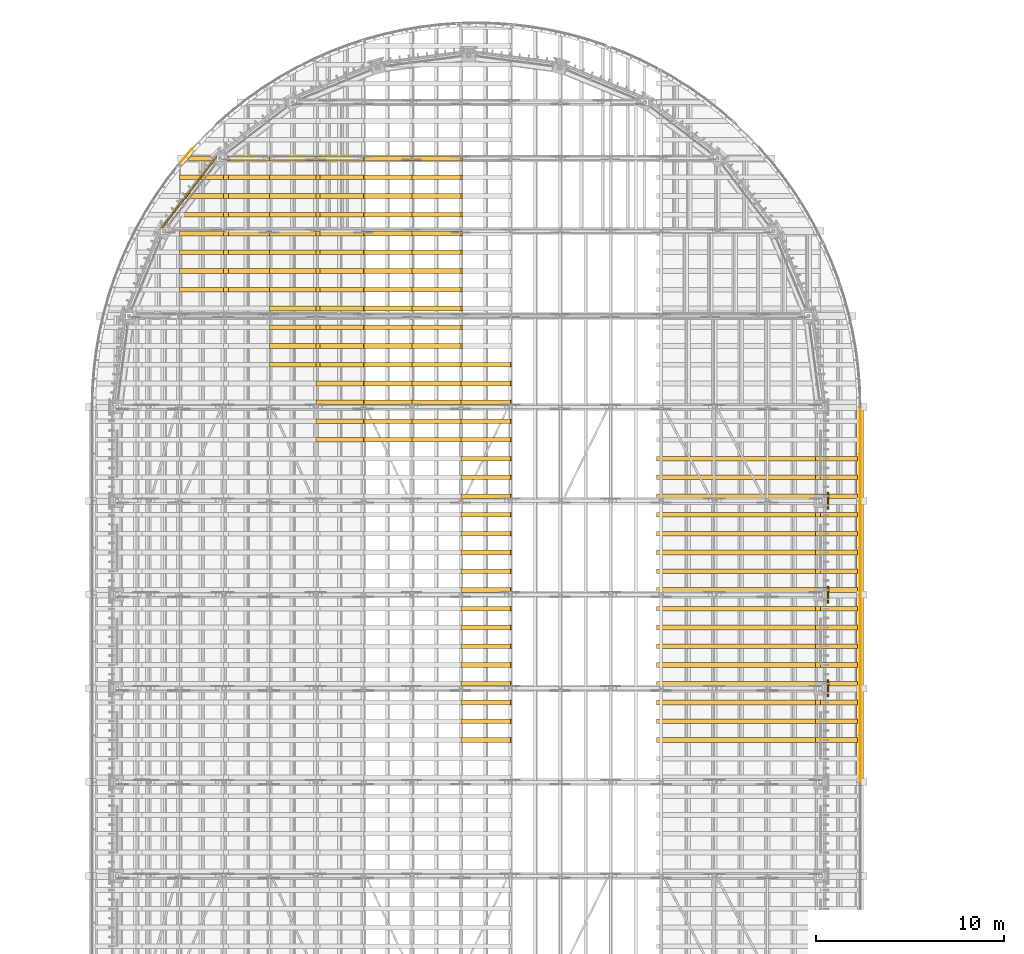
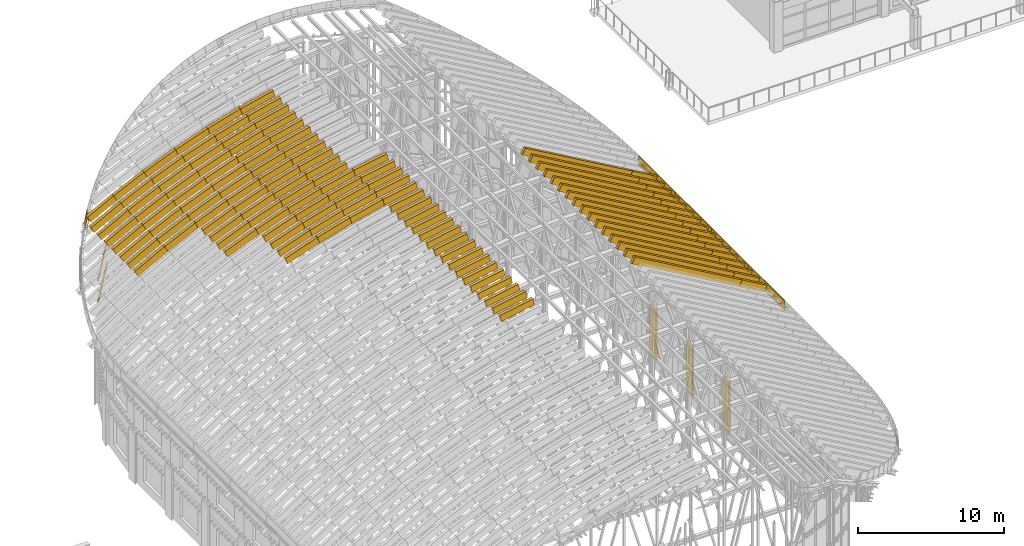
# One storey, part 90 of 105: 148 coverings.
"""IFC4 building model written with IfcOpenShell, lengths in metres."""

from ifc_helpers import new_model, si_unit, direction, frame, origin, origin_2d, place, context, subcontext, project, spatial, polyline, rectangle, outline, extrude, material, layer, layer_set, material_profile, profile_set, type_object, element, save


model = new_model("IFC4")

# Units and contexts
model_context = context("Model", 3, precision=1e-05, world=origin(), true_north=direction((0.0, 1.0)))
body_context = subcontext(model_context, "Body", "Model", "MODEL_VIEW")
ifc_project = project(units=[si_unit("LENGTHUNIT", "METRE"), si_unit("AREAUNIT", "SQUARE_METRE"), si_unit("VOLUMEUNIT", "CUBIC_METRE"), si_unit("PLANEANGLEUNIT", "RADIAN"), si_unit("MASSUNIT", "GRAM", prefix="KILO")], contexts=[model_context])

# Site, building, storey
site_placement = place(None, origin())
site = spatial("IfcSite", under=ifc_project, at=site_placement, CompositionType="ELEMENT")
building_placement = place(site_placement, origin())
building = spatial("IfcBuilding", under=site, at=building_placement, Name="Wasatch Bagh Community Centre", CompositionType="ELEMENT")
storey_placement = place(building_placement, frame((0.0, 0.0, 16.800048828125)))
storey = spatial("IfcBuildingStorey", under=building, at=storey_placement, Name="L04", CompositionType="ELEMENT", Elevation=16.800048828125)

# Coverings
ifc_material_1 = material(Name="White precast concrete C40/50", Category="concrete")
ifc_layer = layer(ifc_material_1, 0.10009765625)
ifc_layer_set = layer_set([ifc_layer], Name="White precast concrete C40/50")
covering_type_1 = type_object("IfcCoveringType", Name="MH column casing", PredefinedType="CLADDING", material=ifc_layer_set)
for number, where, z_axis, x_axis, name in (
    (1, (55.14990234375, 50.0, 0.0), (0.0, 0.0, 1.0), (0.0, 1.0, 0.0), "Column casing E4 L04"),
    (2, (55.14990234375, 55.0, 0.0), (0.0, 0.0, 1.0), (0.0, 1.0, 0.0), "Column casing E5 L04"),
    (3, (55.14990234375, 60.0, 0.0), (0.0, 0.0, 1.0), (0.0, 1.0, 0.0), "Column casing E6 L04"),
):
    element("IfcCovering", number, at=place(storey_placement, frame(where, z_axis=z_axis, x_axis=x_axis)), inside=storey, type_object=covering_type_1, Name=name, PredefinedType="CLADDING", context=body_context, shape_type="SweptSolid", body=[
        extrude(rectangle(XDim=0.89990234375, YDim=0.10009765625, at=origin_2d()), origin(), (0.0, 0.0, 1.0), 4.199951171875),
    ])
ifc_material_2 = material(Name="ASTM A653 Grade 50 steel, zinc-aluminium coated", Category="steel")
ifc_material_profile_1 = material_profile(ifc_material_2, outline(polyline([(-0.080078125, 0.0029296875), (0.152099609375, 0.0029296875), (0.152099609375, -0.031982421875), (0.14892578125, -0.031982421875), (0.14892578125, 0.0), (-0.080078125, 0.0), (-0.080078125, 0.0029296875)])), Name="DRIP EDGE")
ifc_profile_set_1 = profile_set([ifc_material_profile_1], Name="ASTM A653 Grade 50 steel, zinc-aluminium coated")
covering_type_2 = type_object("IfcCoveringType", Name="MH drip edge", PredefinedType="CLADDING", material=ifc_profile_set_1)
covering_1_placement = place(storey_placement, frame((20.671630859375, 77.912841796875, 11.981201171875), z_axis=(0.616783616092, 0.714929425289, 0.329323378728), x_axis=(-0.630602149034, 0.699196616809, -0.336845692678)))
element("IfcCovering", 4, at=covering_1_placement, inside=storey, type_object=covering_type_2, Name="Drip edge 100", PredefinedType="CLADDING", context=body_context, shape_type="SweptSolid", body=[
    extrude(outline(polyline([(-0.080078125, 0.0029296875), (0.152099609375, 0.0029296875), (0.152099609375, -0.031982421875), (0.14892578125, -0.031982421875), (0.14892578125, 0.0), (-0.080078125, 0.0), (-0.080078125, 0.0029296875)])), origin(), (0.0, 0.0, 1.0), 1.0498046875),
])
for number, where, z_axis, x_axis, name in (
    (5, (56.75, 64.99609375, 12.657470703125), (0.0, -1.0, 0.0), (0.866025403784, 0.0, -0.5), "Drip edge 161"),
    (6, (56.75, 59.99609375, 12.657470703125), (0.0, -1.0, 0.0), (0.866025403784, 0.0, -0.5), "Drip edge 162"),
    (7, (56.75, 54.99609375, 12.657470703125), (0.0, -1.0, 0.0), (0.866025403784, 0.0, -0.5), "Drip edge 163"),
    (8, (56.75, 49.99609375, 12.657470703125), (0.0, -1.0, 0.0), (0.866025403784, 0.0, -0.5), "Drip edge 164"),
):
    element("IfcCovering", number, at=place(storey_placement, frame(where, z_axis=z_axis, x_axis=x_axis)), inside=storey, type_object=covering_type_2, Name=name, PredefinedType="CLADDING", context=body_context, shape_type="SweptSolid", body=[
        extrude(outline(polyline([(-0.080078125, 0.0029296875), (0.152099609375, 0.0029296875), (0.152099609375, -0.031982421875), (0.14892578125, -0.031982421875), (0.14892578125, 0.0), (-0.080078125, 0.0), (-0.080078125, 0.0029296875)])), origin(), (0.0, 0.0, 1.0), 4.9921875),
    ])
ifc_material_profile_2 = material_profile(ifc_material_2, rectangle(XDim=0.0400390625, YDim=0.85009765625, at=origin_2d()), Name="FASCIA 40x850")
ifc_profile_set_2 = profile_set([ifc_material_profile_2], Name="ASTM A653 Grade 50 steel, zinc-aluminium coated")
covering_type_3 = type_object("IfcCoveringType", Name="MH eave fascia 40x850", PredefinedType="CLADDING", material=ifc_profile_set_2)
covering_2_placement = place(storey_placement, frame((20.580810546875, 77.9912109375, 12.1298828125), z_axis=(0.616736364318, 0.714874654568, 0.329530704464), x_axis=(-0.757166284111, 0.653222181348, 0.0)))
element("IfcCovering", 9, at=covering_2_placement, inside=storey, type_object=covering_type_3, Name="Eave fascia 100", PredefinedType="CLADDING", context=body_context, shape_type="SweptSolid", body=[
    extrude(rectangle(XDim=0.0400390625, YDim=0.85009765625, at=origin_2d()), origin(), (0.0, 0.0, 1.0), 1.0498046875),
])
for number, where, z_axis, x_axis, name in (
    (10, (56.8701171875, 64.99609375, 12.782470703125), (0.0, -1.0, 0.0), (1.0, 0.0, 0.0), "Eave fascia 161"),
    (11, (56.8701171875, 59.99609375, 12.782470703125), (0.0, -1.0, 0.0), (1.0, 0.0, 0.0), "Eave fascia 162"),
    (12, (56.8701171875, 54.99609375, 12.782470703125), (0.0, -1.0, 0.0), (1.0, 0.0, 0.0), "Eave fascia 163"),
    (13, (56.8701171875, 49.99609375, 12.782470703125), (0.0, -1.0, 0.0), (1.0, 0.0, 0.0), "Eave fascia 164"),
):
    element("IfcCovering", number, at=place(storey_placement, frame(where, z_axis=z_axis, x_axis=x_axis)), inside=storey, type_object=covering_type_3, Name=name, PredefinedType="CLADDING", context=body_context, shape_type="SweptSolid", body=[
        extrude(rectangle(XDim=0.0400390625, YDim=0.85009765625, at=origin_2d()), origin(), (0.0, 0.0, 1.0), 4.9921875),
    ])
ifc_material_3 = material(Name="Aluminium sheet, powder coated", Category="aluminium")
ifc_material_profile_3 = material_profile(ifc_material_3, outline(polyline([(-0.074951171875, 0.0), (-0.074951171875, -0.1201171875), (0.074951171875, -0.1201171875), (0.074951171875, 0.0), (0.072021484375, 0.0), (0.072021484375, -0.116943359375), (-0.072021484375, -0.116943359375), (-0.072021484375, 0.0), (-0.074951171875, 0.0)])), Name="GUTTER 150x120")
ifc_profile_set_3 = profile_set([ifc_material_profile_3], Name="Aluminium sheet, powder coated")
covering_type_4 = type_object("IfcCoveringType", Name="MH eave gutter 150x120", PredefinedType="CLADDING", material=ifc_profile_set_3)
for number, where, z_axis, x_axis, name in (
    (14, (56.965087890625, 64.99609375, 12.5673828125), (0.0, -1.0, 0.0), (1.0, 0.0, 0.0), "Eave gutter 7"),
    (15, (56.965087890625, 59.99609375, 12.5673828125), (0.0, -1.0, 0.0), (1.0, 0.0, 0.0), "Eave gutter 8"),
    (16, (56.965087890625, 54.99609375, 12.5673828125), (0.0, -1.0, 0.0), (1.0, 0.0, 0.0), "Eave gutter 9"),
    (17, (56.965087890625, 49.99609375, 12.5673828125), (0.0, -1.0, 0.0), (1.0, 0.0, 0.0), "Eave gutter 10"),
):
    element("IfcCovering", number, at=place(storey_placement, frame(where, z_axis=z_axis, x_axis=x_axis)), inside=storey, type_object=covering_type_4, Name=name, PredefinedType="CLADDING", context=body_context, shape_type="SweptSolid", body=[
        extrude(outline(polyline([(-0.074951171875, 0.0), (-0.074951171875, -0.1201171875), (0.074951171875, -0.1201171875), (0.074951171875, 0.0), (0.072021484375, 0.0), (0.072021484375, -0.116943359375), (-0.072021484375, -0.116943359375), (-0.072021484375, 0.0), (-0.074951171875, 0.0)])), origin(), (0.0, 0.0, 1.0), 4.9921875),
    ])
ifc_material_4 = material(Name="Aluminium extrusion", Category="aluminium")
ifc_material_profile_4 = material_profile(ifc_material_4, rectangle(XDim=0.080078125, YDim=0.080078125, at=origin_2d()), Name="AL 80x80")
ifc_profile_set_4 = profile_set([ifc_material_profile_4], Name="Aluminium extrusion")
covering_type_5 = type_object("IfcCoveringType", Name="MH fin rail 80x80", PredefinedType="CLADDING", material=ifc_profile_set_4)
for number, where, z_axis, x_axis, name in (
    (18, (22.5830078125, 78.3798828125, 8.199951171875), (-0.60878228298, -0.793337338041, 0.0), (0.793337338041, -0.60878228298, 0.0), "Fin rail 28.1"),
    (19, (22.5830078125, 78.3798828125, 10.030029296875), (-0.60878228298, -0.793337338041, 0.0), (0.793337338041, -0.60878228298, 0.0), "Fin rail 28.2"),
):
    element("IfcCovering", number, at=place(storey_placement, frame(where, z_axis=z_axis, x_axis=x_axis)), inside=storey, type_object=covering_type_5, Name=name, PredefinedType="CLADDING", context=body_context, shape_type="SweptSolid", body=[
        extrude(rectangle(XDim=0.080078125, YDim=0.080078125, at=origin_2d()), origin(), (0.0, 0.0, 1.0), 4.89453125),
    ])
covering_type_6 = type_object("IfcCoveringType", Name="MH roll-over fin rib", PredefinedType="ROOFING", material=ifc_material_2)
for number, where, z_axis, x_axis, name in (
    (20, (20.582763671875, 71.125, 12.483642578125), (-0.471139156817, 0.0, 0.882058895377), (0.882058895377, 0.0, 0.471139156817), "Seam rib 3.52"),
    (21, (20.582763671875, 72.125, 12.483642578125), (-0.471139156817, 0.0, 0.882058895377), (0.882058895377, 0.0, 0.471139156817), "Seam rib 3.53"),
    (22, (20.582763671875, 73.125, 12.483642578125), (-0.471139156817, 0.0, 0.882058895377), (0.882058895377, 0.0, 0.471139156817), "Seam rib 3.54"),
    (23, (20.582763671875, 74.125, 12.483642578125), (-0.471139156817, 0.0, 0.882058895377), (0.882058895377, 0.0, 0.471139156817), "Seam rib 3.55"),
    (24, (20.582763671875, 75.125, 12.483642578125), (-0.471139156817, 0.0, 0.882058895377), (0.882058895377, 0.0, 0.471139156817), "Seam rib 3.56"),
    (25, (20.582763671875, 76.125, 12.483642578125), (-0.471139156817, 0.0, 0.882058895377), (0.882058895377, 0.0, 0.471139156817), "Seam rib 3.57"),
    (26, (20.582763671875, 77.125, 12.483642578125), (-0.471139156817, 0.0, 0.882058895377), (0.882058895377, 0.0, 0.471139156817), "Seam rib 3.58"),
):
    element("IfcCovering", number, at=place(storey_placement, frame(where, z_axis=z_axis, x_axis=x_axis)), inside=storey, type_object=covering_type_6, Name=name, PredefinedType="ROOFING", context=body_context, shape_type="SweptSolid", body=[
        extrude(outline(polyline([(0.0, 0.0), (2.6676533234711526, 0.0), (2.6676533234711526, 0.25000000000000006), (0.0, 0.25000000000000006), (0.0, 0.0)])), origin(), (0.0, 0.0, -1.0), 0.550048828125),
    ])
covering_3_placement = place(storey_placement, frame((20.894287109375, 78.125, 12.650146484375), z_axis=(-0.471102812675, 0.0, 0.882078307119), x_axis=(0.882078307119, 0.0, 0.471102812675)))
element("IfcCovering", 27, at=covering_3_placement, inside=storey, type_object=covering_type_6, Name="Seam rib 3.59", PredefinedType="ROOFING", context=body_context, shape_type="SweptSolid", body=[
    extrude(outline(polyline([(0.0, 0.0), (2.3144247962730953, 0.0), (2.3144247962730953, 0.25), (0.0, 0.25), (0.0, 0.0)])), origin(), (0.0, 0.0, -1.0), 0.550048828125),
])
for number, where, z_axis, x_axis, name in (
    (28, (22.951171875, 71.125, 13.735107421875), (-0.425003555099, 0.0, 0.905191680338), (0.905191680338, 0.0, 0.425003555099), "Seam rib 4.54"),
    (29, (22.951171875, 72.125, 13.735107421875), (-0.425003555099, 0.0, 0.905191680338), (0.905191680338, 0.0, 0.425003555099), "Seam rib 4.55"),
    (30, (22.951171875, 73.125, 13.735107421875), (-0.425003555099, 0.0, 0.905191680338), (0.905191680338, 0.0, 0.425003555099), "Seam rib 4.56"),
    (31, (22.951171875, 74.125, 13.735107421875), (-0.425003555099, 0.0, 0.905191680338), (0.905191680338, 0.0, 0.425003555099), "Seam rib 4.57"),
    (32, (22.951171875, 75.125, 13.735107421875), (-0.425003555099, 0.0, 0.905191680338), (0.905191680338, 0.0, 0.425003555099), "Seam rib 4.58"),
    (33, (22.951171875, 76.125, 13.735107421875), (-0.425003555099, 0.0, 0.905191680338), (0.905191680338, 0.0, 0.425003555099), "Seam rib 4.59"),
    (34, (22.951171875, 77.125, 13.735107421875), (-0.425003555099, 0.0, 0.905191680338), (0.905191680338, 0.0, 0.425003555099), "Seam rib 4.60"),
    (35, (22.951171875, 78.125, 13.735107421875), (-0.425003555099, 0.0, 0.905191680338), (0.905191680338, 0.0, 0.425003555099), "Seam rib 4.61"),
):
    element("IfcCovering", number, at=place(storey_placement, frame(where, z_axis=z_axis, x_axis=x_axis)), inside=storey, type_object=covering_type_6, Name=name, PredefinedType="ROOFING", context=body_context, shape_type="SweptSolid", body=[
        extrude(outline(polyline([(0.0, 0.0), (2.667716655298669, 0.0), (2.667716655298669, 0.25), (0.0, 0.25), (0.0, 0.0)])), origin(), (0.0, 0.0, -1.0), 0.550048828125),
    ])
for number, where, z_axis, x_axis, name in (
    (36, (25.381591796875, 67.125, 14.864501953125), (-0.377724112036, 0.0, 0.925918190332), (0.925918190332, 0.0, 0.377724112036), "Seam rib 5.51"),
    (37, (25.381591796875, 68.125, 14.864501953125), (-0.377724112036, 0.0, 0.925918190332), (0.925918190332, 0.0, 0.377724112036), "Seam rib 5.52"),
    (38, (25.381591796875, 69.125, 14.864501953125), (-0.377724112036, 0.0, 0.925918190332), (0.925918190332, 0.0, 0.377724112036), "Seam rib 5.53"),
    (39, (25.381591796875, 70.125, 14.864501953125), (-0.377724112036, 0.0, 0.925918190332), (0.925918190332, 0.0, 0.377724112036), "Seam rib 5.54"),
    (40, (25.381591796875, 71.125, 14.864501953125), (-0.377724112036, 0.0, 0.925918190332), (0.925918190332, 0.0, 0.377724112036), "Seam rib 5.55"),
    (41, (25.381591796875, 72.125, 14.864501953125), (-0.377724112036, 0.0, 0.925918190332), (0.925918190332, 0.0, 0.377724112036), "Seam rib 5.56"),
    (42, (25.381591796875, 73.125, 14.864501953125), (-0.377724112036, 0.0, 0.925918190332), (0.925918190332, 0.0, 0.377724112036), "Seam rib 5.57"),
    (43, (25.381591796875, 74.125, 14.864501953125), (-0.377724112036, 0.0, 0.925918190332), (0.925918190332, 0.0, 0.377724112036), "Seam rib 5.58"),
    (44, (25.381591796875, 75.125, 14.864501953125), (-0.377724112036, 0.0, 0.925918190332), (0.925918190332, 0.0, 0.377724112036), "Seam rib 5.59"),
    (45, (25.381591796875, 76.125, 14.864501953125), (-0.377724112036, 0.0, 0.925918190332), (0.925918190332, 0.0, 0.377724112036), "Seam rib 5.60"),
    (46, (25.381591796875, 77.125, 14.864501953125), (-0.377724112036, 0.0, 0.925918190332), (0.925918190332, 0.0, 0.377724112036), "Seam rib 5.61"),
    (47, (25.381591796875, 78.125, 14.864501953125), (-0.377724112036, 0.0, 0.925918190332), (0.925918190332, 0.0, 0.377724112036), "Seam rib 5.62"),
):
    element("IfcCovering", number, at=place(storey_placement, frame(where, z_axis=z_axis, x_axis=x_axis)), inside=storey, type_object=covering_type_6, Name=name, PredefinedType="ROOFING", context=body_context, shape_type="SweptSolid", body=[
        extrude(outline(polyline([(0.0, 0.0), (2.6681179937617836, 0.0), (2.6681179937617836, 0.25), (0.0, 0.25), (0.0, 0.0)])), origin(), (0.0, 0.0, -1.0), 0.550048828125),
    ])
for number, where, z_axis, x_axis, name in (
    (48, (27.867919921875, 63.125, 15.868896484375), (-0.329400612104, 0.0, 0.944190254528), (0.944190254528, 0.0, 0.329400612104), "Seam rib 6.48"),
    (49, (27.867919921875, 64.125, 15.868896484375), (-0.329400612104, 0.0, 0.944190254528), (0.944190254528, 0.0, 0.329400612104), "Seam rib 6.49"),
    (50, (27.867919921875, 65.125, 15.868896484375), (-0.329400612104, 0.0, 0.944190254528), (0.944190254528, 0.0, 0.329400612104), "Seam rib 6.50"),
    (51, (27.867919921875, 66.125, 15.868896484375), (-0.329400612104, 0.0, 0.944190254528), (0.944190254528, 0.0, 0.329400612104), "Seam rib 6.51"),
    (52, (27.867919921875, 67.125, 15.868896484375), (-0.329400612104, 0.0, 0.944190254528), (0.944190254528, 0.0, 0.329400612104), "Seam rib 6.52"),
    (53, (27.867919921875, 68.125, 15.868896484375), (-0.329400612104, 0.0, 0.944190254528), (0.944190254528, 0.0, 0.329400612104), "Seam rib 6.53"),
    (54, (27.867919921875, 69.125, 15.868896484375), (-0.329400612104, 0.0, 0.944190254528), (0.944190254528, 0.0, 0.329400612104), "Seam rib 6.54"),
    (55, (27.867919921875, 70.125, 15.868896484375), (-0.329400612104, 0.0, 0.944190254528), (0.944190254528, 0.0, 0.329400612104), "Seam rib 6.55"),
    (56, (27.867919921875, 71.125, 15.868896484375), (-0.329400612104, 0.0, 0.944190254528), (0.944190254528, 0.0, 0.329400612104), "Seam rib 6.56"),
    (57, (27.867919921875, 72.125, 15.868896484375), (-0.329400612104, 0.0, 0.944190254528), (0.944190254528, 0.0, 0.329400612104), "Seam rib 6.57"),
    (58, (27.867919921875, 73.125, 15.868896484375), (-0.329400612104, 0.0, 0.944190254528), (0.944190254528, 0.0, 0.329400612104), "Seam rib 6.58"),
    (59, (27.867919921875, 74.125, 15.868896484375), (-0.329400612104, 0.0, 0.944190254528), (0.944190254528, 0.0, 0.329400612104), "Seam rib 6.59"),
    (60, (27.867919921875, 75.125, 15.868896484375), (-0.329400612104, 0.0, 0.944190254528), (0.944190254528, 0.0, 0.329400612104), "Seam rib 6.60"),
    (61, (27.867919921875, 76.125, 15.868896484375), (-0.329400612104, 0.0, 0.944190254528), (0.944190254528, 0.0, 0.329400612104), "Seam rib 6.61"),
    (62, (27.867919921875, 77.125, 15.868896484375), (-0.329400612104, 0.0, 0.944190254528), (0.944190254528, 0.0, 0.329400612104), "Seam rib 6.62"),
    (63, (27.867919921875, 78.125, 15.868896484375), (-0.329400612104, 0.0, 0.944190254528), (0.944190254528, 0.0, 0.329400612104), "Seam rib 6.63"),
):
    element("IfcCovering", number, at=place(storey_placement, frame(where, z_axis=z_axis, x_axis=x_axis)), inside=storey, type_object=covering_type_6, Name=name, PredefinedType="ROOFING", context=body_context, shape_type="SweptSolid", body=[
        extrude(outline(polyline([(0.0, 0.0), (2.668198593761736, 0.0), (2.668198593761736, 0.25), (0.0, 0.25), (0.0, 0.0)])), origin(), (0.0, 0.0, -1.0), 0.550048828125),
    ])
for number, where, z_axis, x_axis, name in (
    (64, (30.403076171875, 63.125, 16.744873046875), (-0.280263508519, 0.0, 0.959923104104), (0.959923104104, 0.0, 0.280263508519), "Seam rib 7.49"),
    (65, (30.403076171875, 64.125, 16.744873046875), (-0.280263508519, 0.0, 0.959923104104), (0.959923104104, 0.0, 0.280263508519), "Seam rib 7.50"),
    (66, (30.403076171875, 65.125, 16.744873046875), (-0.280263508519, 0.0, 0.959923104104), (0.959923104104, 0.0, 0.280263508519), "Seam rib 7.51"),
    (67, (30.403076171875, 66.125, 16.744873046875), (-0.280263508519, 0.0, 0.959923104104), (0.959923104104, 0.0, 0.280263508519), "Seam rib 7.52"),
    (68, (30.403076171875, 67.125, 16.744873046875), (-0.280263508519, 0.0, 0.959923104104), (0.959923104104, 0.0, 0.280263508519), "Seam rib 7.53"),
    (69, (30.403076171875, 68.125, 16.744873046875), (-0.280263508519, 0.0, 0.959923104104), (0.959923104104, 0.0, 0.280263508519), "Seam rib 7.54"),
    (70, (30.403076171875, 69.125, 16.744873046875), (-0.280263508519, 0.0, 0.959923104104), (0.959923104104, 0.0, 0.280263508519), "Seam rib 7.55"),
    (71, (30.403076171875, 70.125, 16.744873046875), (-0.280263508519, 0.0, 0.959923104104), (0.959923104104, 0.0, 0.280263508519), "Seam rib 7.56"),
    (72, (30.403076171875, 71.125, 16.744873046875), (-0.280263508519, 0.0, 0.959923104104), (0.959923104104, 0.0, 0.280263508519), "Seam rib 7.57"),
    (73, (30.403076171875, 72.125, 16.744873046875), (-0.280263508519, 0.0, 0.959923104104), (0.959923104104, 0.0, 0.280263508519), "Seam rib 7.58"),
    (74, (30.403076171875, 73.125, 16.744873046875), (-0.280263508519, 0.0, 0.959923104104), (0.959923104104, 0.0, 0.280263508519), "Seam rib 7.59"),
    (75, (30.403076171875, 74.125, 16.744873046875), (-0.280263508519, 0.0, 0.959923104104), (0.959923104104, 0.0, 0.280263508519), "Seam rib 7.60"),
    (76, (30.403076171875, 75.125, 16.744873046875), (-0.280263508519, 0.0, 0.959923104104), (0.959923104104, 0.0, 0.280263508519), "Seam rib 7.61"),
    (77, (30.403076171875, 76.125, 16.744873046875), (-0.280263508519, 0.0, 0.959923104104), (0.959923104104, 0.0, 0.280263508519), "Seam rib 7.62"),
    (78, (30.403076171875, 77.125, 16.744873046875), (-0.280263508519, 0.0, 0.959923104104), (0.959923104104, 0.0, 0.280263508519), "Seam rib 7.63"),
    (79, (30.403076171875, 78.125, 16.744873046875), (-0.280263508519, 0.0, 0.959923104104), (0.959923104104, 0.0, 0.280263508519), "Seam rib 7.64"),
):
    element("IfcCovering", number, at=place(storey_placement, frame(where, z_axis=z_axis, x_axis=x_axis)), inside=storey, type_object=covering_type_6, Name=name, PredefinedType="ROOFING", context=body_context, shape_type="SweptSolid", body=[
        extrude(outline(polyline([(0.0, 0.0), (2.6682129911495487, 0.0), (2.6682129911495487, 0.25), (0.0, 0.25), (0.0, 0.0)])), origin(), (0.0, 0.0, -1.0), 0.550048828125),
    ])
for number, where, z_axis, x_axis, name in (
    (80, (32.98046875, 63.125, 17.490478515625), (-0.2303751915, 0.0, 0.973101881172), (0.973101881172, 0.0, 0.2303751915), "Seam rib 8.49"),
    (81, (32.98046875, 64.125, 17.490478515625), (-0.2303751915, 0.0, 0.973101881172), (0.973101881172, 0.0, 0.2303751915), "Seam rib 8.50"),
    (82, (32.98046875, 65.125, 17.490478515625), (-0.2303751915, 0.0, 0.973101881172), (0.973101881172, 0.0, 0.2303751915), "Seam rib 8.51"),
    (83, (32.98046875, 66.125, 17.490478515625), (-0.2303751915, 0.0, 0.973101881172), (0.973101881172, 0.0, 0.2303751915), "Seam rib 8.52"),
    (84, (32.98046875, 67.125, 17.490478515625), (-0.2303751915, 0.0, 0.973101881172), (0.973101881172, 0.0, 0.2303751915), "Seam rib 8.53"),
    (85, (32.98046875, 68.125, 17.490478515625), (-0.2303751915, 0.0, 0.973101881172), (0.973101881172, 0.0, 0.2303751915), "Seam rib 8.54"),
    (86, (32.98046875, 69.125, 17.490478515625), (-0.2303751915, 0.0, 0.973101881172), (0.973101881172, 0.0, 0.2303751915), "Seam rib 8.55"),
    (87, (32.98046875, 70.125, 17.490478515625), (-0.2303751915, 0.0, 0.973101881172), (0.973101881172, 0.0, 0.2303751915), "Seam rib 8.56"),
    (88, (32.98046875, 71.125, 17.490478515625), (-0.2303751915, 0.0, 0.973101881172), (0.973101881172, 0.0, 0.2303751915), "Seam rib 8.57"),
    (89, (32.98046875, 72.125, 17.490478515625), (-0.2303751915, 0.0, 0.973101881172), (0.973101881172, 0.0, 0.2303751915), "Seam rib 8.58"),
    (90, (32.98046875, 73.125, 17.490478515625), (-0.2303751915, 0.0, 0.973101881172), (0.973101881172, 0.0, 0.2303751915), "Seam rib 8.59"),
    (91, (32.98046875, 74.125, 17.490478515625), (-0.2303751915, 0.0, 0.973101881172), (0.973101881172, 0.0, 0.2303751915), "Seam rib 8.60"),
    (92, (32.98046875, 75.125, 17.490478515625), (-0.2303751915, 0.0, 0.973101881172), (0.973101881172, 0.0, 0.2303751915), "Seam rib 8.61"),
    (93, (32.98046875, 76.125, 17.490478515625), (-0.2303751915, 0.0, 0.973101881172), (0.973101881172, 0.0, 0.2303751915), "Seam rib 8.62"),
    (94, (32.98046875, 77.125, 17.490478515625), (-0.2303751915, 0.0, 0.973101881172), (0.973101881172, 0.0, 0.2303751915), "Seam rib 8.63"),
    (95, (32.98046875, 78.125, 17.490478515625), (-0.2303751915, 0.0, 0.973101881172), (0.973101881172, 0.0, 0.2303751915), "Seam rib 8.64"),
):
    element("IfcCovering", number, at=place(storey_placement, frame(where, z_axis=z_axis, x_axis=x_axis)), inside=storey, type_object=covering_type_6, Name=name, PredefinedType="ROOFING", context=body_context, shape_type="SweptSolid", body=[
        extrude(outline(polyline([(0.0, 0.0), (2.6684561377800424, 0.0), (2.6684561377800424, 0.25), (0.0, 0.25), (0.0, 0.0)])), origin(), (0.0, 0.0, -1.0), 0.550048828125),
    ])
for number, where, z_axis, x_axis, name in (
    (96, (35.59326171875, 47.125, 18.103515625), (-0.179779044662, 0.0, 0.983707016901), (0.983707016901, 0.0, 0.179779044662), "Seam rib 9.33"),
    (97, (35.59326171875, 48.125, 18.103515625), (-0.179779044662, 0.0, 0.983707016901), (0.983707016901, 0.0, 0.179779044662), "Seam rib 9.34"),
    (98, (35.59326171875, 49.125, 18.103515625), (-0.179779044662, 0.0, 0.983707016901), (0.983707016901, 0.0, 0.179779044662), "Seam rib 9.35"),
    (99, (35.59326171875, 50.125, 18.103515625), (-0.179779044662, 0.0, 0.983707016901), (0.983707016901, 0.0, 0.179779044662), "Seam rib 9.36"),
    (100, (35.59326171875, 51.125, 18.103515625), (-0.179779044662, 0.0, 0.983707016901), (0.983707016901, 0.0, 0.179779044662), "Seam rib 9.37"),
    (101, (35.59326171875, 52.125, 18.103515625), (-0.179779044662, 0.0, 0.983707016901), (0.983707016901, 0.0, 0.179779044662), "Seam rib 9.38"),
    (102, (35.59326171875, 53.125, 18.103515625), (-0.179779044662, 0.0, 0.983707016901), (0.983707016901, 0.0, 0.179779044662), "Seam rib 9.39"),
    (103, (35.59326171875, 54.125, 18.103515625), (-0.179779044662, 0.0, 0.983707016901), (0.983707016901, 0.0, 0.179779044662), "Seam rib 9.40"),
    (104, (35.59326171875, 55.125, 18.103515625), (-0.179779044662, 0.0, 0.983707016901), (0.983707016901, 0.0, 0.179779044662), "Seam rib 9.41"),
    (105, (35.59326171875, 56.125, 18.103515625), (-0.179779044662, 0.0, 0.983707016901), (0.983707016901, 0.0, 0.179779044662), "Seam rib 9.42"),
    (106, (35.59326171875, 57.125, 18.103515625), (-0.179779044662, 0.0, 0.983707016901), (0.983707016901, 0.0, 0.179779044662), "Seam rib 9.43"),
    (107, (35.59326171875, 58.125, 18.103515625), (-0.179779044662, 0.0, 0.983707016901), (0.983707016901, 0.0, 0.179779044662), "Seam rib 9.44"),
    (108, (35.59326171875, 59.125, 18.103515625), (-0.179779044662, 0.0, 0.983707016901), (0.983707016901, 0.0, 0.179779044662), "Seam rib 9.45"),
    (109, (35.59326171875, 60.125, 18.103515625), (-0.179779044662, 0.0, 0.983707016901), (0.983707016901, 0.0, 0.179779044662), "Seam rib 9.46"),
    (110, (35.59326171875, 61.125, 18.103515625), (-0.179779044662, 0.0, 0.983707016901), (0.983707016901, 0.0, 0.179779044662), "Seam rib 9.47"),
    (111, (35.59326171875, 62.125, 18.103515625), (-0.179779044662, 0.0, 0.983707016901), (0.983707016901, 0.0, 0.179779044662), "Seam rib 9.48"),
    (112, (35.59326171875, 63.125, 18.103515625), (-0.179779044662, 0.0, 0.983707016901), (0.983707016901, 0.0, 0.179779044662), "Seam rib 9.49"),
    (113, (35.59326171875, 64.125, 18.103515625), (-0.179779044662, 0.0, 0.983707016901), (0.983707016901, 0.0, 0.179779044662), "Seam rib 9.50"),
    (114, (35.59326171875, 65.125, 18.103515625), (-0.179779044662, 0.0, 0.983707016901), (0.983707016901, 0.0, 0.179779044662), "Seam rib 9.51"),
    (115, (35.59326171875, 66.125, 18.103515625), (-0.179779044662, 0.0, 0.983707016901), (0.983707016901, 0.0, 0.179779044662), "Seam rib 9.52"),
    (116, (35.59326171875, 67.125, 18.103515625), (-0.179779044662, 0.0, 0.983707016901), (0.983707016901, 0.0, 0.179779044662), "Seam rib 9.53"),
):
    element("IfcCovering", number, at=place(storey_placement, frame(where, z_axis=z_axis, x_axis=x_axis)), inside=storey, type_object=covering_type_6, Name=name, PredefinedType="ROOFING", context=body_context, shape_type="SweptSolid", body=[
        extrude(outline(polyline([(0.0, 0.0), (2.6684774581252992, 0.0), (2.6684774581252992, 0.25), (0.0, 0.25), (0.0, 0.0)])), origin(), (0.0, 0.0, -1.0), 0.550048828125),
    ])
for number, where, z_axis, x_axis, name in (
    (117, (46.28857421875, 47.125, 19.247314453125), (0.499992249874, 0.0, 0.866029878276), (0.866029878276, 0.0, -0.499992249874), "Seam rib 13.30"),
    (118, (46.28857421875, 48.125, 19.247314453125), (0.499992249874, 0.0, 0.866029878276), (0.866029878276, 0.0, -0.499992249874), "Seam rib 13.31"),
    (119, (46.28857421875, 49.125, 19.247314453125), (0.499992249874, 0.0, 0.866029878276), (0.866029878276, 0.0, -0.499992249874), "Seam rib 13.32"),
    (120, (46.28857421875, 50.125, 19.247314453125), (0.499992249874, 0.0, 0.866029878276), (0.866029878276, 0.0, -0.499992249874), "Seam rib 13.33"),
    (121, (46.28857421875, 51.125, 19.247314453125), (0.499992249874, 0.0, 0.866029878276), (0.866029878276, 0.0, -0.499992249874), "Seam rib 13.34"),
    (122, (46.28857421875, 52.125, 19.247314453125), (0.499992249874, 0.0, 0.866029878276), (0.866029878276, 0.0, -0.499992249874), "Seam rib 13.35"),
    (123, (46.28857421875, 53.125, 19.247314453125), (0.499992249874, 0.0, 0.866029878276), (0.866029878276, 0.0, -0.499992249874), "Seam rib 13.36"),
    (124, (46.28857421875, 54.125, 19.247314453125), (0.499992249874, 0.0, 0.866029878276), (0.866029878276, 0.0, -0.499992249874), "Seam rib 13.37"),
    (125, (46.28857421875, 55.125, 19.247314453125), (0.499992249874, 0.0, 0.866029878276), (0.866029878276, 0.0, -0.499992249874), "Seam rib 13.38"),
    (126, (46.28857421875, 56.125, 19.247314453125), (0.499992249874, 0.0, 0.866029878276), (0.866029878276, 0.0, -0.499992249874), "Seam rib 13.39"),
    (127, (46.28857421875, 57.125, 19.247314453125), (0.499992249874, 0.0, 0.866029878276), (0.866029878276, 0.0, -0.499992249874), "Seam rib 13.40"),
    (128, (46.28857421875, 58.125, 19.247314453125), (0.499992249874, 0.0, 0.866029878276), (0.866029878276, 0.0, -0.499992249874), "Seam rib 13.41"),
    (129, (46.28857421875, 59.125, 19.247314453125), (0.499992249874, 0.0, 0.866029878276), (0.866029878276, 0.0, -0.499992249874), "Seam rib 13.42"),
    (130, (46.28857421875, 60.125, 19.247314453125), (0.499992249874, 0.0, 0.866029878276), (0.866029878276, 0.0, -0.499992249874), "Seam rib 13.43"),
    (131, (46.28857421875, 61.125, 19.247314453125), (0.499992249874, 0.0, 0.866029878276), (0.866029878276, 0.0, -0.499992249874), "Seam rib 13.44"),
    (132, (46.28857421875, 62.125, 19.247314453125), (0.499992249874, 0.0, 0.866029878276), (0.866029878276, 0.0, -0.499992249874), "Seam rib 13.45"),
):
    element("IfcCovering", number, at=place(storey_placement, frame(where, z_axis=z_axis, x_axis=x_axis)), inside=storey, type_object=covering_type_6, Name=name, PredefinedType="ROOFING", context=body_context, shape_type="SweptSolid", body=[
        extrude(outline(polyline([(0.0, 0.0), (9.765288083177396, 0.0), (9.765288083177396, 0.24999999999999997), (0.0, 0.24999999999999997), (0.0, 0.0)])), origin(), (0.0, 0.0, -1.0), 0.550048828125),
    ])
for number, where, z_axis, x_axis, name in (
    (133, (54.75439453125, 47.125, 14.359375), (0.499980071345, 0.0, 0.866036909293), (0.866036909293, 0.0, -0.499980071345), "Seam rib 14.21"),
    (134, (54.75439453125, 48.125, 14.359375), (0.499980071345, 0.0, 0.866036909293), (0.866036909293, 0.0, -0.499980071345), "Seam rib 14.22"),
    (135, (54.75439453125, 49.125, 14.359375), (0.499980071345, 0.0, 0.866036909293), (0.866036909293, 0.0, -0.499980071345), "Seam rib 14.23"),
    (136, (54.75439453125, 50.125, 14.359375), (0.499980071345, 0.0, 0.866036909293), (0.866036909293, 0.0, -0.499980071345), "Seam rib 14.24"),
    (137, (54.75439453125, 51.125, 14.359375), (0.499980071345, 0.0, 0.866036909293), (0.866036909293, 0.0, -0.499980071345), "Seam rib 14.25"),
    (138, (54.75439453125, 52.125, 14.359375), (0.499980071345, 0.0, 0.866036909293), (0.866036909293, 0.0, -0.499980071345), "Seam rib 14.26"),
    (139, (54.75439453125, 53.125, 14.359375), (0.499980071345, 0.0, 0.866036909293), (0.866036909293, 0.0, -0.499980071345), "Seam rib 14.27"),
    (140, (54.75439453125, 54.125, 14.359375), (0.499980071345, 0.0, 0.866036909293), (0.866036909293, 0.0, -0.499980071345), "Seam rib 14.28"),
    (141, (54.75439453125, 55.125, 14.359375), (0.499980071345, 0.0, 0.866036909293), (0.866036909293, 0.0, -0.499980071345), "Seam rib 14.29"),
    (142, (54.75439453125, 56.125, 14.359375), (0.499980071345, 0.0, 0.866036909293), (0.866036909293, 0.0, -0.499980071345), "Seam rib 14.30"),
    (143, (54.75439453125, 57.125, 14.359375), (0.499980071345, 0.0, 0.866036909293), (0.866036909293, 0.0, -0.499980071345), "Seam rib 14.31"),
    (144, (54.75439453125, 58.125, 14.359375), (0.499980071345, 0.0, 0.866036909293), (0.866036909293, 0.0, -0.499980071345), "Seam rib 14.32"),
    (145, (54.75439453125, 59.125, 14.359375), (0.499980071345, 0.0, 0.866036909293), (0.866036909293, 0.0, -0.499980071345), "Seam rib 14.33"),
    (146, (54.75439453125, 60.125, 14.359375), (0.499980071345, 0.0, 0.866036909293), (0.866036909293, 0.0, -0.499980071345), "Seam rib 14.34"),
    (147, (54.75439453125, 61.125, 14.359375), (0.499980071345, 0.0, 0.866036909293), (0.866036909293, 0.0, -0.499980071345), "Seam rib 14.35"),
    (148, (54.75439453125, 62.125, 14.359375), (0.499980071345, 0.0, 0.866036909293), (0.866036909293, 0.0, -0.499980071345), "Seam rib 14.36"),
):
    element("IfcCovering", number, at=place(storey_placement, frame(where, z_axis=z_axis, x_axis=x_axis)), inside=storey, type_object=covering_type_6, Name=name, PredefinedType="ROOFING", context=body_context, shape_type="SweptSolid", body=[
        extrude(outline(polyline([(0.0, 0.0), (2.2696217110180323, 0.0), (2.2696217110180323, 0.25), (0.0, 0.25), (0.0, 0.0)])), origin(), (0.0, 0.0, -1.0), 0.550048828125),
    ])

save(model, "model.ifc")
